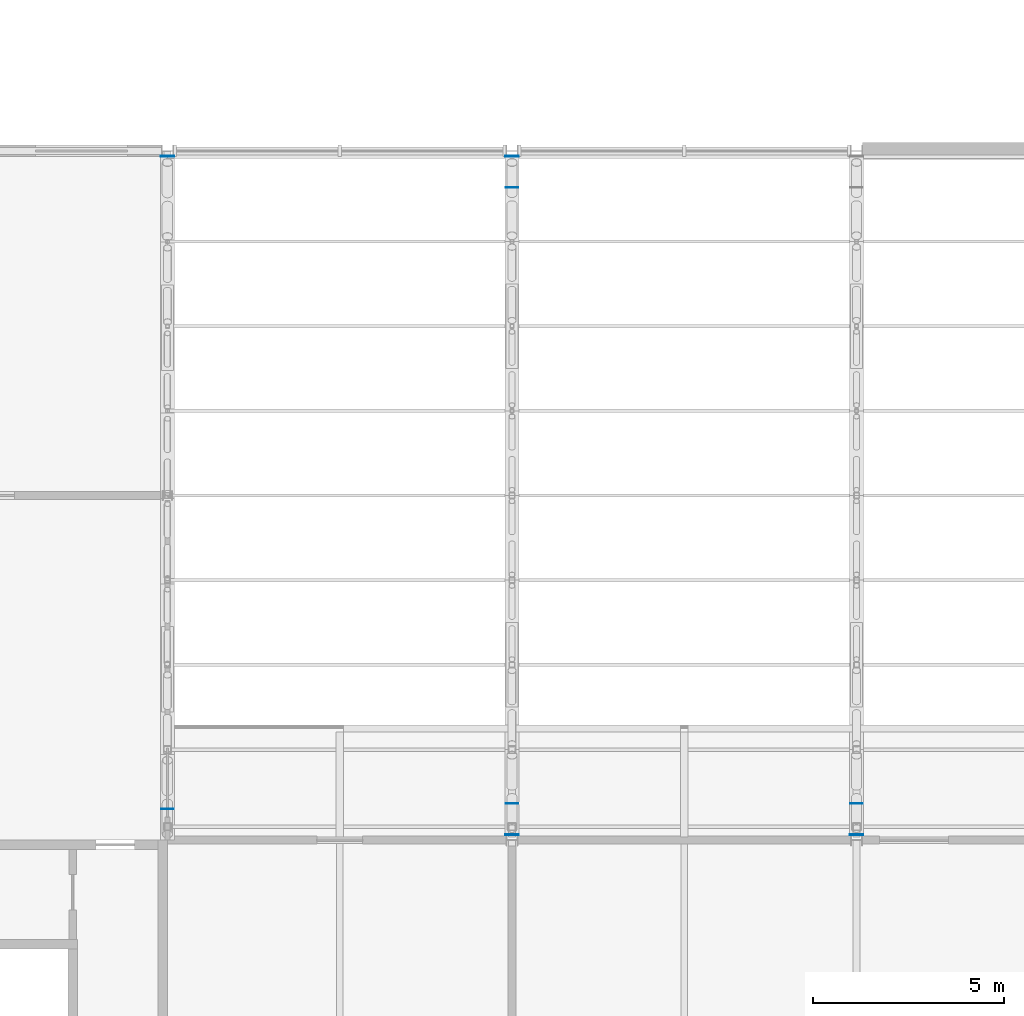
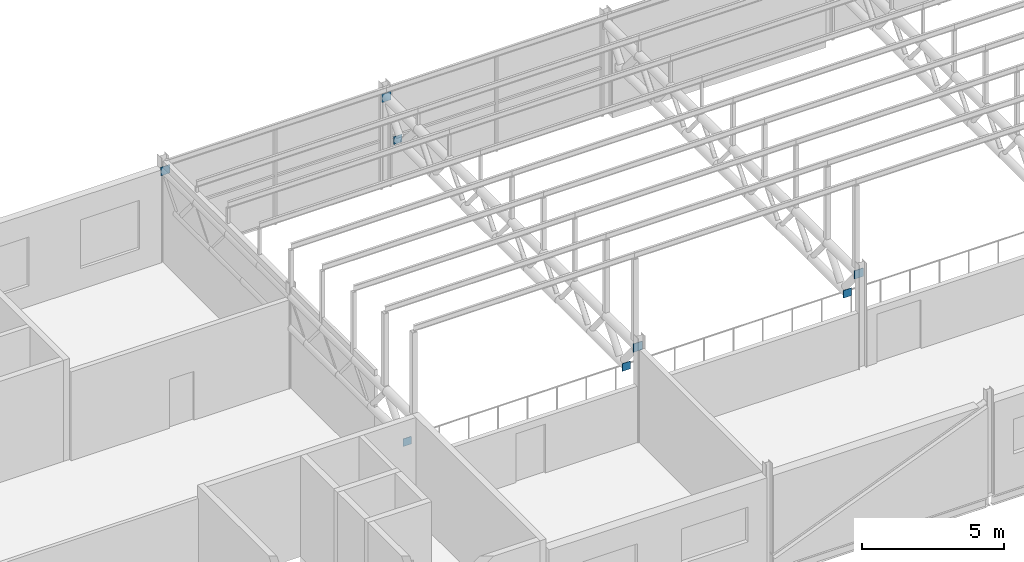
# One storey, part 103 of 138: 8 plates.
"""IFC4 building model written with IfcOpenShell, lengths in metres."""

from ifc_helpers import new_model, si_unit, direction, frame, origin, origin_2d, place, context, subcontext, project, spatial, rectangle, extrude, material, layer, layer_set, type_object, element, save


model = new_model("IFC4")

# Units and contexts
model_context = context("Model", 3, precision=1e-05, world=origin(), true_north=direction((0.0, 1.0)))
body_context = subcontext(model_context, "Body", "Model", "MODEL_VIEW")
ifc_project = project(units=[si_unit("LENGTHUNIT", "METRE"), si_unit("AREAUNIT", "SQUARE_METRE"), si_unit("VOLUMEUNIT", "CUBIC_METRE"), si_unit("PLANEANGLEUNIT", "RADIAN"), si_unit("MASSUNIT", "GRAM", prefix="KILO")], contexts=[model_context])

# Site, building, storey
site_placement = place(None, origin())
site = spatial("IfcSite", under=ifc_project, at=site_placement, CompositionType="ELEMENT")
building_placement = place(site_placement, origin())
building = spatial("IfcBuilding", under=site, at=building_placement, Name="Corbel Yard City Hall", CompositionType="ELEMENT")
storey_placement = place(building_placement, frame((0.0, 0.0, 10.5)))
storey = spatial("IfcBuildingStorey", under=building, at=storey_placement, Name="L02", CompositionType="ELEMENT", Elevation=10.5)

# Plates
ifc_material = material(Name="Steel Grade 300 (300 MPa yield)", Category="steel")
ifc_layer_1 = layer(ifc_material, 0.01611328125)
ifc_layer_set_1 = layer_set([ifc_layer_1], Name="Steel Grade 300 (300 MPa yield)")
plate_type_1 = type_object("IfcPlateType", Name="Truss bottom chord cap plate", PredefinedType="NOTDEFINED", material=ifc_layer_set_1)
for number, where, z_axis, x_axis, name in (
    (1, (18.0, 9.807373046875, 2.42724609375), (0.0, 0.0, 1.0), (1.0, 0.0, 0.0), "Truss bottom chord cap plate EP2"),
    (2, (27.0, 9.950439453125, 2.42724609375), (0.0, 0.0, 1.0), (1.0, 0.0, 0.0), "Truss bottom chord cap plate EP2"),
    (3, (27.0, 26.049560546875, 2.42724609375), (0.0, 0.0, 1.0), (1.0, 0.0, 0.0), "Truss bottom chord cap plate EP2"),
    (4, (36.0, 9.950439453125, 2.42724609375), (0.0, 0.0, 1.0), (1.0, 0.0, 0.0), "Truss bottom chord cap plate EP2"),
):
    element("IfcPlate", number, at=place(storey_placement, frame(where, z_axis=z_axis, x_axis=x_axis)), inside=storey, type_object=plate_type_1, Name=name, PredefinedType="NOTDEFINED", context=body_context, shape_type="SweptSolid", body=[
        extrude(rectangle(XDim=0.330078125, YDim=0.01611328125, at=origin_2d()), origin(), (0.0, 0.0, 1.0), 0.330078125),
    ])
ifc_layer_2 = layer(ifc_material, 0.02490234375)
ifc_layer_set_2 = layer_set([ifc_layer_2], Name="Steel Grade 300 (300 MPa yield)")
plate_type_2 = type_object("IfcPlateType", Name="Truss top chord end plate", PredefinedType="NOTDEFINED", material=ifc_layer_set_2)
for number, where, z_axis, x_axis, name in (
    (5, (18.0, 26.860107421875, 3.7421875), (0.0, 0.0, 1.0), (1.0, 0.0, 0.0), "Truss top chord end plate EP1"),
    (6, (27.0, 9.139892578125, 3.7421875), (0.0, 0.0, 1.0), (1.0, 0.0, 0.0), "Truss top chord end plate EP1"),
    (7, (27.0, 26.860107421875, 3.7421875), (0.0, 0.0, 1.0), (1.0, 0.0, 0.0), "Truss top chord end plate EP1"),
    (8, (36.0, 9.139892578125, 3.7421875), (0.0, 0.0, 1.0), (1.0, 0.0, 0.0), "Truss top chord end plate EP1"),
):
    element("IfcPlate", number, at=place(storey_placement, frame(where, z_axis=z_axis, x_axis=x_axis)), inside=storey, type_object=plate_type_2, Name=name, PredefinedType="NOTDEFINED", context=body_context, shape_type="SweptSolid", body=[
        extrude(rectangle(XDim=0.360107421875, YDim=0.02490234375, at=origin_2d()), origin(), (0.0, 0.0, 1.0), 0.360107421875),
    ])

save(model, "model.ifc")
